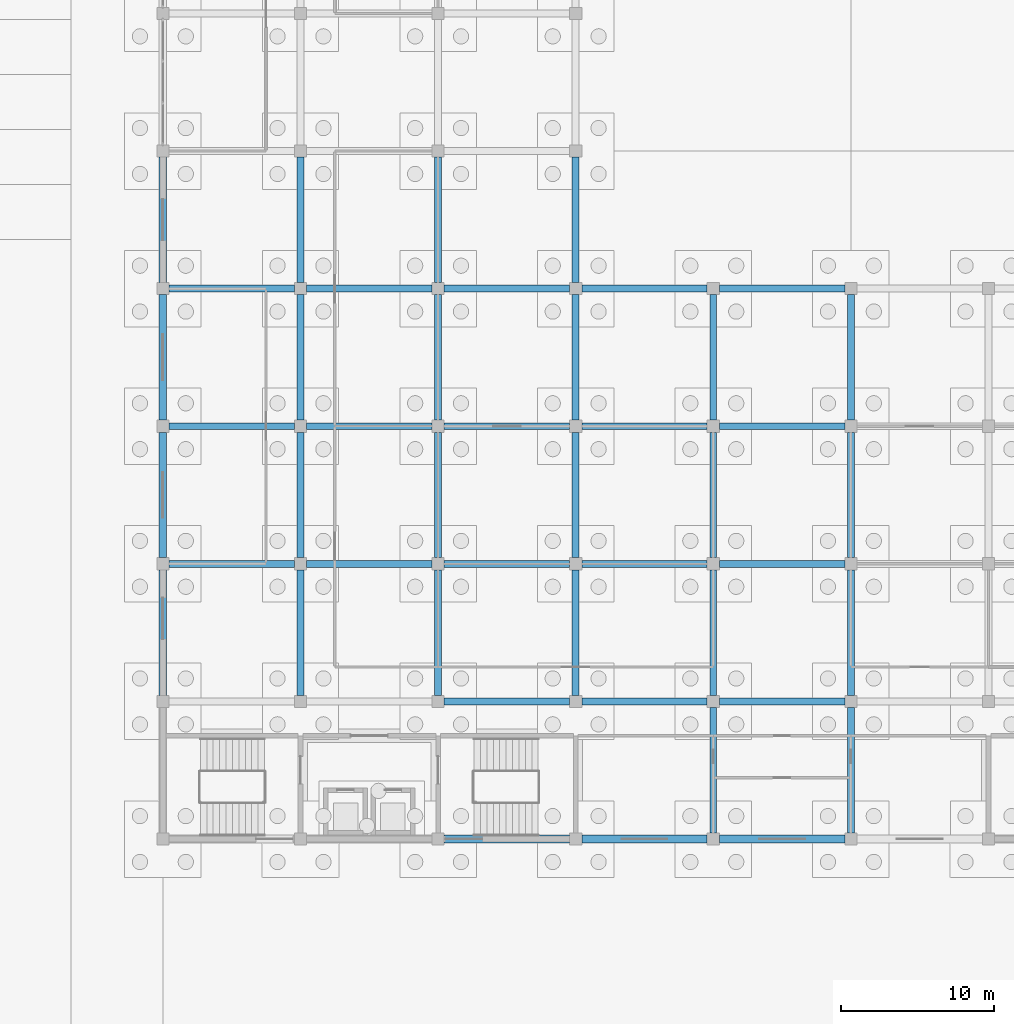
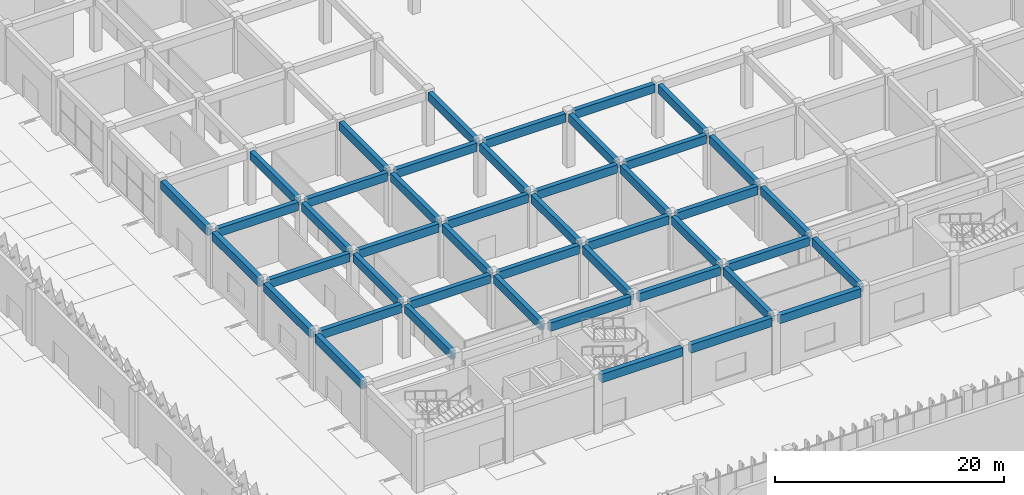
# One storey, part 54 of 198: 45 beams.
"""IFC4 building model written with IfcOpenShell, lengths in metres."""

from ifc_helpers import new_model, si_unit, direction, frame, origin, origin_2d, place, context, subcontext, project, spatial, rectangle, extrude, material, material_profile, profile_set, type_object, element, save


model = new_model("IFC4")

# Units and contexts
model_context = context("Model", 3, precision=1e-05, world=origin(), true_north=direction((0.0, 1.0)))
body_context = subcontext(model_context, "Body", "Model", "MODEL_VIEW")
ifc_project = project(units=[si_unit("LENGTHUNIT", "METRE"), si_unit("AREAUNIT", "SQUARE_METRE"), si_unit("VOLUMEUNIT", "CUBIC_METRE"), si_unit("PLANEANGLEUNIT", "RADIAN"), si_unit("MASSUNIT", "GRAM", prefix="KILO")], contexts=[model_context])

# Site, building, storey
site_placement = place(None, origin())
site = spatial("IfcSite", under=ifc_project, at=site_placement, CompositionType="ELEMENT")
building_placement = place(site_placement, origin())
building = spatial("IfcBuilding", under=site, at=building_placement, Name="Opaline Strait Convention Centre", CompositionType="ELEMENT")
storey_placement = place(building_placement, origin())
storey = spatial("IfcBuildingStorey", under=building, at=storey_placement, Name="L00", CompositionType="ELEMENT", Elevation=0.0)

# Beams
ifc_material = material(Name="Concrete C35", Category="concrete")
ifc_material_profile_1 = material_profile(ifc_material, rectangle(XDim=0.449951171875, YDim=0.89990234375, at=origin_2d()), Name="RC 450x900")
ifc_profile_set_1 = profile_set([ifc_material_profile_1], Name="Concrete C35")
beam_type_1 = type_object("IfcBeamType", Name="RC beam 450x900 C35", PredefinedType="BEAM", material=ifc_profile_set_1)
for number, where, z_axis, x_axis, name in (
    (1, (297.39990234375, 99.0, 5.27001953125), (1.0, 0.0, 0.0), (0.0, 1.0, 0.0), "XB1 L00 34/M-35/M"),
    (2, (306.39990234375, 99.0, 5.27001953125), (1.0, 0.0, 0.0), (0.0, 1.0, 0.0), "XB1 L00 35/M-36/M"),
    (3, (315.39990234375, 99.0, 5.27001953125), (1.0, 0.0, 0.0), (0.0, 1.0, 0.0), "XB1 L00 36/M-37/M"),
    (4, (279.39990234375, 108.0, 5.27001953125), (1.0, 0.0, 0.0), (0.0, 1.0, 0.0), "XB1 L00 32/N-33/N"),
    (5, (288.39990234375, 108.0, 5.27001953125), (1.0, 0.0, 0.0), (0.0, 1.0, 0.0), "XB1 L00 33/N-34/N"),
    (6, (297.39990234375, 108.0, 5.27001953125), (1.0, 0.0, 0.0), (0.0, 1.0, 0.0), "XB1 L00 34/N-35/N"),
    (7, (306.39990234375, 108.0, 5.27001953125), (1.0, 0.0, 0.0), (0.0, 1.0, 0.0), "XB1 L00 35/N-36/N"),
    (8, (315.39990234375, 108.0, 5.27001953125), (1.0, 0.0, 0.0), (0.0, 1.0, 0.0), "XB1 L00 36/N-37/N"),
    (9, (279.39990234375, 117.0, 5.27001953125), (1.0, 0.0, 0.0), (0.0, 1.0, 0.0), "XB1 L00 32/P-33/P"),
    (10, (288.39990234375, 117.0, 5.27001953125), (1.0, 0.0, 0.0), (0.0, 1.0, 0.0), "XB1 L00 33/P-34/P"),
    (11, (297.39990234375, 117.0, 5.27001953125), (1.0, 0.0, 0.0), (0.0, 1.0, 0.0), "XB1 L00 34/P-35/P"),
    (12, (306.39990234375, 117.0, 5.27001953125), (1.0, 0.0, 0.0), (0.0, 1.0, 0.0), "XB1 L00 35/P-36/P"),
    (13, (315.39990234375, 117.0, 5.27001953125), (1.0, 0.0, 0.0), (0.0, 1.0, 0.0), "XB1 L00 36/P-37/P"),
    (14, (279.39990234375, 126.0, 5.27001953125), (1.0, 0.0, 0.0), (0.0, 1.0, 0.0), "XB1 L00 32/Q-33/Q"),
    (15, (288.39990234375, 126.0, 5.27001953125), (1.0, 0.0, 0.0), (0.0, 1.0, 0.0), "XB1 L00 33/Q-34/Q"),
    (16, (297.39990234375, 126.0, 5.27001953125), (1.0, 0.0, 0.0), (0.0, 1.0, 0.0), "XB1 L00 34/Q-35/Q"),
    (17, (306.39990234375, 126.0, 5.27001953125), (1.0, 0.0, 0.0), (0.0, 1.0, 0.0), "XB1 L00 35/Q-36/Q"),
    (18, (315.39990234375, 126.0, 5.27001953125), (1.0, 0.0, 0.0), (0.0, 1.0, 0.0), "XB1 L00 36/Q-37/Q"),
    (19, (288.0, 99.39990234375, 5.27001953125), (0.0, 1.0, 0.0), (-1.0, 0.0, 0.0), "XB1 L00 33/M-33/N"),
    (20, (288.0, 108.39990234375, 5.27001953125), (0.0, 1.0, 0.0), (-1.0, 0.0, 0.0), "XB1 L00 33/N-33/P"),
    (21, (288.0, 117.39990234375, 5.27001953125), (0.0, 1.0, 0.0), (-1.0, 0.0, 0.0), "XB1 L00 33/P-33/Q"),
    (22, (288.0, 126.39990234375, 5.27001953125), (0.0, 1.0, 0.0), (-1.0, 0.0, 0.0), "XB1 L00 33/Q-33/R"),
    (23, (297.0, 99.39990234375, 5.27001953125), (0.0, 1.0, 0.0), (-1.0, 0.0, 0.0), "XB1 L00 34/M-34/N"),
    (24, (297.0, 108.39990234375, 5.27001953125), (0.0, 1.0, 0.0), (-1.0, 0.0, 0.0), "XB1 L00 34/N-34/P"),
    (25, (297.0, 117.39990234375, 5.27001953125), (0.0, 1.0, 0.0), (-1.0, 0.0, 0.0), "XB1 L00 34/P-34/Q"),
    (26, (297.0, 126.39990234375, 5.27001953125), (0.0, 1.0, 0.0), (-1.0, 0.0, 0.0), "XB1 L00 34/Q-34/R"),
    (27, (306.0, 99.39990234375, 5.27001953125), (0.0, 1.0, 0.0), (-1.0, 0.0, 0.0), "XB1 L00 35/M-35/N"),
    (28, (306.0, 108.39990234375, 5.27001953125), (0.0, 1.0, 0.0), (-1.0, 0.0, 0.0), "XB1 L00 35/N-35/P"),
    (29, (306.0, 117.39990234375, 5.27001953125), (0.0, 1.0, 0.0), (-1.0, 0.0, 0.0), "XB1 L00 35/P-35/Q"),
    (30, (306.0, 126.39990234375, 5.27001953125), (0.0, 1.0, 0.0), (-1.0, 0.0, 0.0), "XB1 L00 35/Q-35/R"),
    (31, (315.0, 90.39990234375, 5.27001953125), (0.0, 1.0, 0.0), (-1.0, 0.0, 0.0), "XB1 L00 36/L-36/M"),
    (32, (315.0, 99.39990234375, 5.27001953125), (0.0, 1.0, 0.0), (-1.0, 0.0, 0.0), "XB1 L00 36/M-36/N"),
    (33, (315.0, 108.39990234375, 5.27001953125), (0.0, 1.0, 0.0), (-1.0, 0.0, 0.0), "XB1 L00 36/N-36/P"),
    (34, (315.0, 117.39990234375, 5.27001953125), (0.0, 1.0, 0.0), (-1.0, 0.0, 0.0), "XB1 L00 36/P-36/Q"),
    (35, (324.0, 90.39990234375, 5.27001953125), (0.0, 1.0, 0.0), (-1.0, 0.0, 0.0), "XB1 L00 37/L-37/M"),
    (36, (324.0, 99.39990234375, 5.27001953125), (0.0, 1.0, 0.0), (-1.0, 0.0, 0.0), "XB1 L00 37/M-37/N"),
    (37, (324.0, 108.39990234375, 5.27001953125), (0.0, 1.0, 0.0), (-1.0, 0.0, 0.0), "XB1 L00 37/N-37/P"),
    (38, (324.0, 117.39990234375, 5.27001953125), (0.0, 1.0, 0.0), (-1.0, 0.0, 0.0), "XB1 L00 37/P-37/Q"),
):
    element("IfcBeam", number, at=place(storey_placement, frame(where, z_axis=z_axis, x_axis=x_axis)), inside=storey, type_object=beam_type_1, Name=name, PredefinedType="BEAM", context=body_context, shape_type="SweptSolid", body=[
        extrude(rectangle(XDim=0.449951171875, YDim=0.89990234375, at=origin_2d()), origin(), (0.0, 0.0, 1.0), 8.2001953125),
    ])
ifc_material_profile_2 = material_profile(ifc_material, rectangle(XDim=0.5, YDim=0.89990234375, at=origin_2d()), Name="RC 500x900")
ifc_profile_set_2 = profile_set([ifc_material_profile_2], Name="Concrete C35")
beam_type_2 = type_object("IfcBeamType", Name="RC edge beam 500x900 C35", PredefinedType="BEAM", material=ifc_profile_set_2)
for number, where, z_axis, x_axis, name in (
    (39, (297.39990234375, 90.0, 5.27001953125), (1.0, 0.0, 0.0), (0.0, 1.0, 0.0), "MRB2 L00 34/L-35/L"),
    (40, (306.39990234375, 90.0, 5.27001953125), (1.0, 0.0, 0.0), (0.0, 1.0, 0.0), "MRB2 L00 35/L-36/L"),
    (41, (315.39990234375, 90.0, 5.27001953125), (1.0, 0.0, 0.0), (0.0, 1.0, 0.0), "MRB2 L00 36/L-37/L"),
    (42, (279.0, 99.39990234375, 5.27001953125), (0.0, 1.0, 0.0), (-1.0, 0.0, 0.0), "MRB2 L00 32/M-32/N"),
    (43, (279.0, 108.39990234375, 5.27001953125), (0.0, 1.0, 0.0), (-1.0, 0.0, 0.0), "MRB2 L00 32/N-32/P"),
    (44, (279.0, 117.39990234375, 5.27001953125), (0.0, 1.0, 0.0), (-1.0, 0.0, 0.0), "MRB2 L00 32/P-32/Q"),
    (45, (279.0, 126.39990234375, 5.27001953125), (0.0, 1.0, 0.0), (-1.0, 0.0, 0.0), "MRB2 L00 32/Q-32/R"),
):
    element("IfcBeam", number, at=place(storey_placement, frame(where, z_axis=z_axis, x_axis=x_axis)), inside=storey, type_object=beam_type_2, Name=name, PredefinedType="BEAM", context=body_context, shape_type="SweptSolid", body=[
        extrude(rectangle(XDim=0.5, YDim=0.89990234375, at=origin_2d()), origin(), (0.0, 0.0, 1.0), 8.2001953125),
    ])

save(model, "model.ifc")
